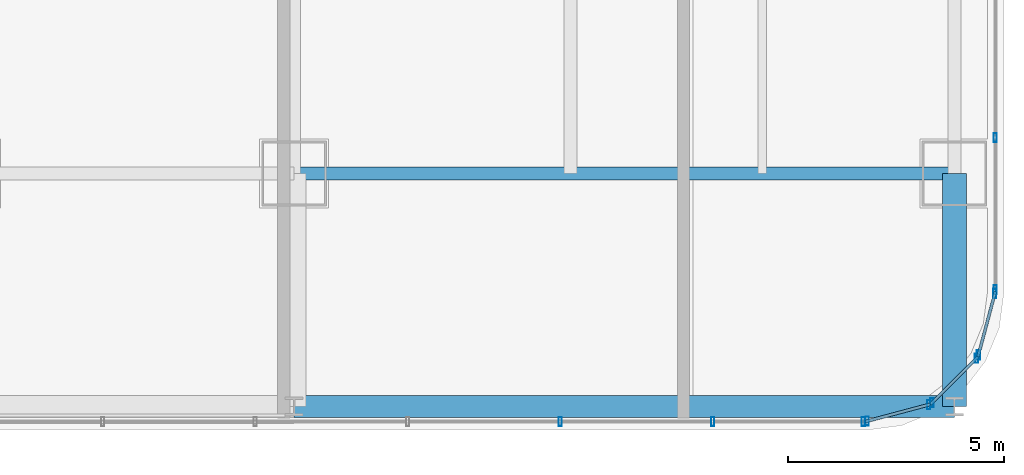
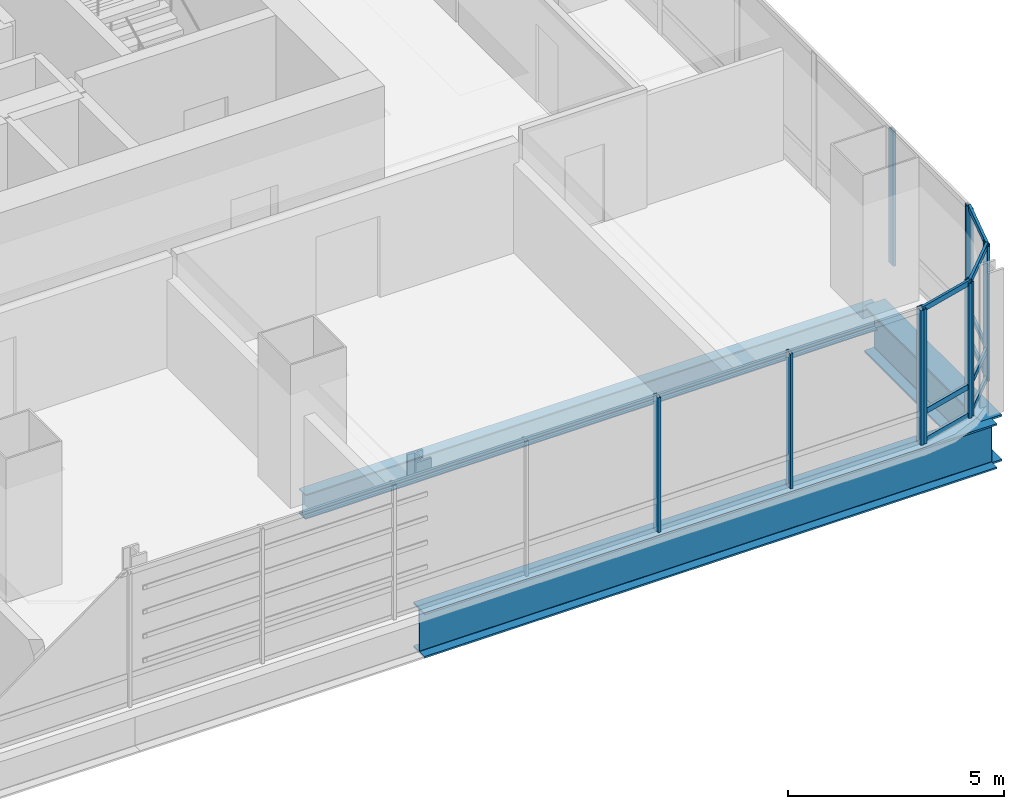
# One storey, part 13 of 36: 20 members, 3 beams, 5 elements without a shape of their own.
"""IFC4 building model written with IfcOpenShell, lengths in metres."""

from ifc_helpers import new_model, si_unit, direction, frame, origin, origin_2d, place, context, subcontext, project, spatial, hollow_rectangle, i_section, extrude, material, material_profile, profile_set, type_object, element, aggregate, save


model = new_model("IFC4")

# Units and contexts
model_context = context("Model", 3, precision=1e-05, world=origin(), true_north=direction((0.0, 1.0)))
body_context = subcontext(model_context, "Body", "Model", "MODEL_VIEW")
ifc_project = project(units=[si_unit("LENGTHUNIT", "METRE"), si_unit("AREAUNIT", "SQUARE_METRE"), si_unit("VOLUMEUNIT", "CUBIC_METRE"), si_unit("PLANEANGLEUNIT", "RADIAN"), si_unit("MASSUNIT", "GRAM", prefix="KILO")], contexts=[model_context])

# Site, building, storey
site_placement = place(None, origin())
site = spatial("IfcSite", under=ifc_project, at=site_placement, CompositionType="ELEMENT")
building_placement = place(site_placement, origin())
building = spatial("IfcBuilding", under=site, at=building_placement, Name="Punatoya Terracotta Tower", CompositionType="ELEMENT")
storey_placement = place(building_placement, frame((0.0, 0.0, 48.449951171875)))
storey = spatial("IfcBuildingStorey", under=building, at=storey_placement, Name="L10", CompositionType="ELEMENT", Elevation=48.449951171875)

# Beams
ifc_material_1 = material(Name="Steel S355", Category="steel")
ifc_material_profile_1 = material_profile(ifc_material_1, i_section(OverallWidth=0.300048828125, OverallDepth=0.699951171875, WebThickness=0.01708984375, FlangeThickness=0.031982421875, FilletRadius=0.01806640625, at=origin_2d()))
ifc_profile_set_1 = profile_set([ifc_material_profile_1], Name="Steel S355")
beam_type_1 = type_object("IfcBeamType", Name="BM-PRI-700", PredefinedType="BEAM", material=ifc_profile_set_1)
beam_1_placement = place(storey_placement, frame((3.800048828125, -17.5, -0.58984375), z_axis=(1.0, 0.0, 0.0), x_axis=(0.0, 1.0, 0.0)))
element("IfcBeam", 1, at=beam_1_placement, inside=storey, type_object=beam_type_1, Name="BM-L10-RG-S3", PredefinedType="BEAM", context=body_context, shape_type="SweptSolid", body=[
    extrude(i_section(OverallWidth=0.300048828125, OverallDepth=0.699951171875, WebThickness=0.01708984375, FlangeThickness=0.031982421875, FilletRadius=0.01806640625, at=origin_2d()), origin(), (0.0, 0.0, 1.0), 15.300048828125),
])
ifc_material_2 = material(Name="Steel S460", Category="steel")
ifc_material_profile_2 = material_profile(ifc_material_2, i_section(OverallWidth=0.56005859375, OverallDepth=1.320068359375, WebThickness=0.035888671875, FlangeThickness=0.054931640625, FilletRadius=0.01806640625, at=origin_2d()))
ifc_profile_set_2 = profile_set([ifc_material_profile_2], Name="Steel S460")
beam_type_2 = type_object("IfcBeamType", Name="BM-TG-BLK", PredefinedType="BEAM", material=ifc_profile_set_2)
beam_2_placement = place(storey_placement, frame((19.10009765625, -22.89990234375, -0.89990234375), z_axis=(0.0, 1.0, 0.0), x_axis=(-1.0, 0.0, 0.0)))
element("IfcBeam", 2, at=beam_2_placement, inside=storey, type_object=beam_type_2, Name="BM-L10-CANT-S4", PredefinedType="BEAM", context=body_context, shape_type="SweptSolid", body=[
    extrude(i_section(OverallWidth=0.56005859375, OverallDepth=1.320068359375, WebThickness=0.035888671875, FlangeThickness=0.054931640625, FilletRadius=0.01806640625, at=origin_2d()), origin(), (0.0, 0.0, 1.0), 5.39990234375),
])
ifc_material_profile_3 = material_profile(ifc_material_2, i_section(OverallWidth=0.52001953125, OverallDepth=1.280029296875, WebThickness=0.031982421875, FlangeThickness=0.050048828125, FilletRadius=0.01806640625, at=origin_2d()))
ifc_profile_set_3 = profile_set([ifc_material_profile_3], Name="Steel S460")
beam_type_3 = type_object("IfcBeamType", Name="BM-TG-NCK", PredefinedType="BEAM", material=ifc_profile_set_3)
beam_3_placement = place(storey_placement, frame((3.800048828125, -22.89990234375, -0.8798828125), z_axis=(1.0, 0.0, 0.0), x_axis=(0.0, 1.0, 0.0)))
element("IfcBeam", 3, at=beam_3_placement, inside=storey, type_object=beam_type_3, Name="BM-L10-PER-S3", PredefinedType="BEAM", context=body_context, shape_type="SweptSolid", body=[
    extrude(i_section(OverallWidth=0.52001953125, OverallDepth=1.280029296875, WebThickness=0.031982421875, FlangeThickness=0.050048828125, FilletRadius=0.01806640625, at=origin_2d()), origin(), (0.0, 0.0, 1.0), 15.300048828125),
])

# Curtain wall, members
ifc_material_3 = material(Name="Aluminium 6063-T6 + Double Low-E Glass", Category="aluminium")
curtain_wall_type = type_object("IfcCurtainWallType", Name="CW-M1", PredefinedType="NOTDEFINED", material=ifc_material_3)
curtain_wall_1_placement = place(storey_placement, origin())
curtain_wall_1 = element("IfcCurtainWall", 4, at=curtain_wall_1_placement, inside=storey, type_object=curtain_wall_type, Name="L10 Curtain Wall CW-L10-S01-1", PredefinedType="NOTDEFINED")
ifc_material_4 = material(Name="Aluminium 6063-T6", Category="aluminium")
ifc_material_profile_4 = material_profile(ifc_material_4, hollow_rectangle(XDim=0.074951171875, YDim=0.2099609375, WallThickness=0.00439453125, at=origin_2d()))
ifc_profile_set_4 = profile_set([ifc_material_profile_4], Name="Aluminium 6063-T6")
member_type_1 = type_object("IfcMemberType", Name="CW-MUL-M1", PredefinedType="MULLION", material=ifc_profile_set_4)
member_1_placement = place(storey_placement, frame((9.968994140625, -23.25, 0.0), z_axis=(0.0, 0.0, 1.0), x_axis=(1.0, 0.0, 0.0)))
member_1 = element("IfcMember", 5, at=member_1_placement, type_object=member_type_1, Name="CW-L10-S01-1 Mullion 09", PredefinedType="MULLION", context=body_context, shape_type="SweptSolid", body=[
    extrude(hollow_rectangle(XDim=0.074951171875, YDim=0.2099609375, WallThickness=0.00439453125, at=origin_2d()), origin(), (0.0, 0.0, 1.0), 3.81005859375),
])
member_2_placement = place(storey_placement, frame((13.5029296875, -23.25, 0.0), z_axis=(0.0, 0.0, 1.0), x_axis=(1.0, 0.0, 0.0)))
member_2 = element("IfcMember", 6, at=member_2_placement, type_object=member_type_1, Name="CW-L10-S01-1 Mullion 10", PredefinedType="MULLION", context=body_context, shape_type="SweptSolid", body=[
    extrude(hollow_rectangle(XDim=0.074951171875, YDim=0.2099609375, WallThickness=0.00439453125, at=origin_2d()), origin(), (0.0, 0.0, 1.0), 3.81005859375),
])
member_3_placement = place(storey_placement, frame((16.991943359375, -23.25, 0.0), z_axis=(0.0, 0.0, 1.0), x_axis=(1.0, 0.0, 0.0)))
member_3 = element("IfcMember", 7, at=member_3_placement, type_object=member_type_1, Name="CW-L10-S01-1 Mullion 11", PredefinedType="MULLION", context=body_context, shape_type="SweptSolid", body=[
    extrude(hollow_rectangle(XDim=0.074951171875, YDim=0.2099609375, WallThickness=0.00439453125, at=origin_2d()), origin(), (0.0, 0.0, 1.0), 3.81005859375),
])
aggregate(curtain_wall_1, [member_1, member_2, member_3])

curtain_wall_2_placement = place(storey_placement, origin())
curtain_wall_2 = element("IfcCurtainWall", 8, at=curtain_wall_2_placement, inside=storey, type_object=curtain_wall_type, Name="L10 Curtain Wall CW-L10-CRN02", PredefinedType="NOTDEFINED")
member_4_placement = place(storey_placement, frame((17.080322265625, -23.23828125, 0.0), z_axis=(0.0, 0.0, 1.0), x_axis=(1.0, 0.0, 0.0)))
member_4 = element("IfcMember", 9, at=member_4_placement, type_object=member_type_1, Name="CW-L10-CRN02 Mullion 00", PredefinedType="MULLION", context=body_context, shape_type="SweptSolid", body=[
    extrude(hollow_rectangle(XDim=0.074951171875, YDim=0.2099609375, WallThickness=0.00439453125, at=origin_2d()), origin(), (0.0, 0.0, 1.0), 3.81005859375),
])
member_5_placement = place(storey_placement, frame((18.505615234375, -22.858154296875, 0.0), z_axis=(0.0, 0.0, 1.0), x_axis=(1.0, 0.0, 0.0)))
member_5 = element("IfcMember", 10, at=member_5_placement, type_object=member_type_1, Name="CW-L10-CRN02 Mullion 01", PredefinedType="MULLION", context=body_context, shape_type="SweptSolid", body=[
    extrude(hollow_rectangle(XDim=0.074951171875, YDim=0.2099609375, WallThickness=0.00439453125, at=origin_2d()), origin(), (0.0, 0.0, 1.0), 3.81005859375),
])

curtain_wall_3_placement = place(storey_placement, origin())
curtain_wall_3 = element("IfcCurtainWall", 11, at=curtain_wall_3_placement, inside=storey, type_object=curtain_wall_type, Name="L10 Curtain Wall CW-L10-CRN03", PredefinedType="NOTDEFINED")
member_6_placement = place(storey_placement, frame((18.580810546875, -22.814697265625, 0.0), z_axis=(0.0, 0.0, 1.0), x_axis=(1.0, 0.0, 0.0)))
member_6 = element("IfcMember", 12, at=member_6_placement, type_object=member_type_1, Name="CW-L10-CRN03 Mullion 00", PredefinedType="MULLION", context=body_context, shape_type="SweptSolid", body=[
    extrude(hollow_rectangle(XDim=0.074951171875, YDim=0.2099609375, WallThickness=0.00439453125, at=origin_2d()), origin(), (0.0, 0.0, 1.0), 3.81005859375),
])
member_7_placement = place(storey_placement, frame((19.61474609375, -21.781005859375, 0.0), z_axis=(0.0, 0.0, 1.0), x_axis=(1.0, 0.0, 0.0)))
member_7 = element("IfcMember", 13, at=member_7_placement, type_object=member_type_1, Name="CW-L10-CRN03 Mullion 01", PredefinedType="MULLION", context=body_context, shape_type="SweptSolid", body=[
    extrude(hollow_rectangle(XDim=0.074951171875, YDim=0.2099609375, WallThickness=0.00439453125, at=origin_2d()), origin(), (0.0, 0.0, 1.0), 3.81005859375),
])

curtain_wall_4_placement = place(storey_placement, origin())
curtain_wall_4 = element("IfcCurtainWall", 14, at=curtain_wall_4_placement, inside=storey, type_object=curtain_wall_type, Name="L10 Curtain Wall CW-L10-CRN04", PredefinedType="NOTDEFINED")
member_8_placement = place(storey_placement, frame((19.658203125, -21.70556640625, 0.0), z_axis=(0.0, 0.0, 1.0), x_axis=(1.0, 0.0, 0.0)))
member_8 = element("IfcMember", 15, at=member_8_placement, type_object=member_type_1, Name="CW-L10-CRN04 Mullion 00", PredefinedType="MULLION", context=body_context, shape_type="SweptSolid", body=[
    extrude(hollow_rectangle(XDim=0.074951171875, YDim=0.2099609375, WallThickness=0.00439453125, at=origin_2d()), origin(), (0.0, 0.0, 1.0), 3.81005859375),
])
member_9_placement = place(storey_placement, frame((20.038330078125, -20.280517578125, 0.0), z_axis=(0.0, 0.0, 1.0), x_axis=(1.0, 0.0, 0.0)))
member_9 = element("IfcMember", 16, at=member_9_placement, type_object=member_type_1, Name="CW-L10-CRN04 Mullion 01", PredefinedType="MULLION", context=body_context, shape_type="SweptSolid", body=[
    extrude(hollow_rectangle(XDim=0.074951171875, YDim=0.2099609375, WallThickness=0.00439453125, at=origin_2d()), origin(), (0.0, 0.0, 1.0), 3.81005859375),
])

curtain_wall_5_placement = place(storey_placement, origin())
curtain_wall_5 = element("IfcCurtainWall", 17, at=curtain_wall_5_placement, inside=storey, type_object=curtain_wall_type, Name="L10 Curtain Wall CW-L10-E05-1", PredefinedType="NOTDEFINED")
member_10_placement = place(storey_placement, frame((20.050048828125, -20.19189453125, 0.0), z_axis=(0.0, 0.0, 1.0), x_axis=(1.0, 0.0, 0.0)))
member_10 = element("IfcMember", 18, at=member_10_placement, type_object=member_type_1, Name="CW-L10-E05-1 Mullion 00", PredefinedType="MULLION", context=body_context, shape_type="SweptSolid", body=[
    extrude(hollow_rectangle(XDim=0.074951171875, YDim=0.2099609375, WallThickness=0.00439453125, at=origin_2d()), origin(), (0.0, 0.0, 1.0), 3.81005859375),
])
member_11_placement = place(storey_placement, frame((20.050048828125, -16.66943359375, 0.0), z_axis=(0.0, 0.0, 1.0), x_axis=(1.0, 0.0, 0.0)))
member_11 = element("IfcMember", 19, at=member_11_placement, type_object=member_type_1, Name="CW-L10-E05-1 Mullion 01", PredefinedType="MULLION", context=body_context, shape_type="SweptSolid", body=[
    extrude(hollow_rectangle(XDim=0.074951171875, YDim=0.2099609375, WallThickness=0.00439453125, at=origin_2d()), origin(), (0.0, 0.0, 1.0), 3.81005859375),
])
aggregate(curtain_wall_5, [member_10, member_11])

# Member
ifc_material_profile_5 = material_profile(ifc_material_4, hollow_rectangle(XDim=0.068115234375, YDim=0.14990234375, WallThickness=0.00390625, at=origin_2d()))
ifc_profile_set_5 = profile_set([ifc_material_profile_5], Name="Aluminium 6063-T6")
member_type_2 = type_object("IfcMemberType", Name="CW-TRN-TYP", PredefinedType="USERDEFINED", material=ifc_profile_set_5)
member_12_placement = place(storey_placement, frame((17.036865234375, -23.25, 0.0400390625), z_axis=(0.966224582397, 0.257701486942, 0.0), x_axis=(-0.257701486942, 0.966224582397, 0.0)))
member_12 = element("IfcMember", 20, at=member_12_placement, type_object=member_type_2, Name="CW-L10-CRN02 Transom 1", ObjectType="TRANSOM", PredefinedType="USERDEFINED", context=body_context, shape_type="SweptSolid", body=[
    extrude(hollow_rectangle(XDim=0.068115234375, YDim=0.14990234375, WallThickness=0.00390625, at=origin_2d()), origin(), (0.0, 0.0, 1.0), 1.565185546875),
])

member_13_placement = place(storey_placement, frame((17.036865234375, -23.25, 0.85009765625), z_axis=(0.966224582397, 0.257701486942, 0.0), x_axis=(-0.257701486942, 0.966224582397, 0.0)))
member_13 = element("IfcMember", 21, at=member_13_placement, type_object=member_type_2, Name="CW-L10-CRN02 Transom 2", ObjectType="TRANSOM", PredefinedType="USERDEFINED", context=body_context, shape_type="SweptSolid", body=[
    extrude(hollow_rectangle(XDim=0.068115234375, YDim=0.14990234375, WallThickness=0.00390625, at=origin_2d()), origin(), (0.0, 0.0, 1.0), 1.565185546875),
])

member_14_placement = place(storey_placement, frame((17.036865234375, -23.25, 3.77001953125), z_axis=(0.966224582397, 0.257701486942, 0.0), x_axis=(-0.257701486942, 0.966224582397, 0.0)))
member_14 = element("IfcMember", 22, at=member_14_placement, type_object=member_type_2, Name="CW-L10-CRN02 Transom 3", ObjectType="TRANSOM", PredefinedType="USERDEFINED", context=body_context, shape_type="SweptSolid", body=[
    extrude(hollow_rectangle(XDim=0.068115234375, YDim=0.14990234375, WallThickness=0.00390625, at=origin_2d()), origin(), (0.0, 0.0, 1.0), 1.565185546875),
])

aggregate(curtain_wall_2, [member_4, member_5, member_12, member_13, member_14])

member_15_placement = place(storey_placement, frame((18.549072265625, -22.8466796875, 0.0400390625), z_axis=(0.707028130747, 0.707185422879, 0.0), x_axis=(-0.707185422879, 0.707028130747, 0.0)))
member_15 = element("IfcMember", 23, at=member_15_placement, type_object=member_type_2, Name="CW-L10-CRN03 Transom 1", ObjectType="TRANSOM", PredefinedType="USERDEFINED", context=body_context, shape_type="SweptSolid", body=[
    extrude(hollow_rectangle(XDim=0.068115234375, YDim=0.14990234375, WallThickness=0.00390625, at=origin_2d()), origin(), (0.0, 0.0, 1.0), 1.55224609375),
])

member_16_placement = place(storey_placement, frame((18.549072265625, -22.8466796875, 0.85009765625), z_axis=(0.707028130747, 0.707185422879, 0.0), x_axis=(-0.707185422879, 0.707028130747, 0.0)))
member_16 = element("IfcMember", 24, at=member_16_placement, type_object=member_type_2, Name="CW-L10-CRN03 Transom 2", ObjectType="TRANSOM", PredefinedType="USERDEFINED", context=body_context, shape_type="SweptSolid", body=[
    extrude(hollow_rectangle(XDim=0.068115234375, YDim=0.14990234375, WallThickness=0.00390625, at=origin_2d()), origin(), (0.0, 0.0, 1.0), 1.55224609375),
])

member_17_placement = place(storey_placement, frame((18.549072265625, -22.8466796875, 3.77001953125), z_axis=(0.707028130747, 0.707185422879, 0.0), x_axis=(-0.707185422879, 0.707028130747, 0.0)))
member_17 = element("IfcMember", 25, at=member_17_placement, type_object=member_type_2, Name="CW-L10-CRN03 Transom 3", ObjectType="TRANSOM", PredefinedType="USERDEFINED", context=body_context, shape_type="SweptSolid", body=[
    extrude(hollow_rectangle(XDim=0.068115234375, YDim=0.14990234375, WallThickness=0.00390625, at=origin_2d()), origin(), (0.0, 0.0, 1.0), 1.55224609375),
])

aggregate(curtain_wall_3, [member_6, member_7, member_15, member_16, member_17])

member_18_placement = place(storey_placement, frame((19.646484375, -21.7490234375, 0.0400390625), z_axis=(0.257847112249, 0.966185730957, 0.0), x_axis=(-0.966185730957, 0.257847112249, 0.0)))
member_18 = element("IfcMember", 26, at=member_18_placement, type_object=member_type_2, Name="CW-L10-CRN04 Transom 1", ObjectType="TRANSOM", PredefinedType="USERDEFINED", context=body_context, shape_type="SweptSolid", body=[
    extrude(hollow_rectangle(XDim=0.068115234375, YDim=0.14990234375, WallThickness=0.00390625, at=origin_2d()), origin(), (0.0, 0.0, 1.0), 1.565185546875),
])

member_19_placement = place(storey_placement, frame((19.646484375, -21.7490234375, 0.85009765625), z_axis=(0.257847112249, 0.966185730957, 0.0), x_axis=(-0.966185730957, 0.257847112249, 0.0)))
member_19 = element("IfcMember", 27, at=member_19_placement, type_object=member_type_2, Name="CW-L10-CRN04 Transom 2", ObjectType="TRANSOM", PredefinedType="USERDEFINED", context=body_context, shape_type="SweptSolid", body=[
    extrude(hollow_rectangle(XDim=0.068115234375, YDim=0.14990234375, WallThickness=0.00390625, at=origin_2d()), origin(), (0.0, 0.0, 1.0), 1.565185546875),
])

member_20_placement = place(storey_placement, frame((19.646484375, -21.7490234375, 3.77001953125), z_axis=(0.257847112249, 0.966185730957, 0.0), x_axis=(-0.966185730957, 0.257847112249, 0.0)))
member_20 = element("IfcMember", 28, at=member_20_placement, type_object=member_type_2, Name="CW-L10-CRN04 Transom 3", ObjectType="TRANSOM", PredefinedType="USERDEFINED", context=body_context, shape_type="SweptSolid", body=[
    extrude(hollow_rectangle(XDim=0.068115234375, YDim=0.14990234375, WallThickness=0.00390625, at=origin_2d()), origin(), (0.0, 0.0, 1.0), 1.565185546875),
])

aggregate(curtain_wall_4, [member_8, member_9, member_18, member_19, member_20])

save(model, "model.ifc")
